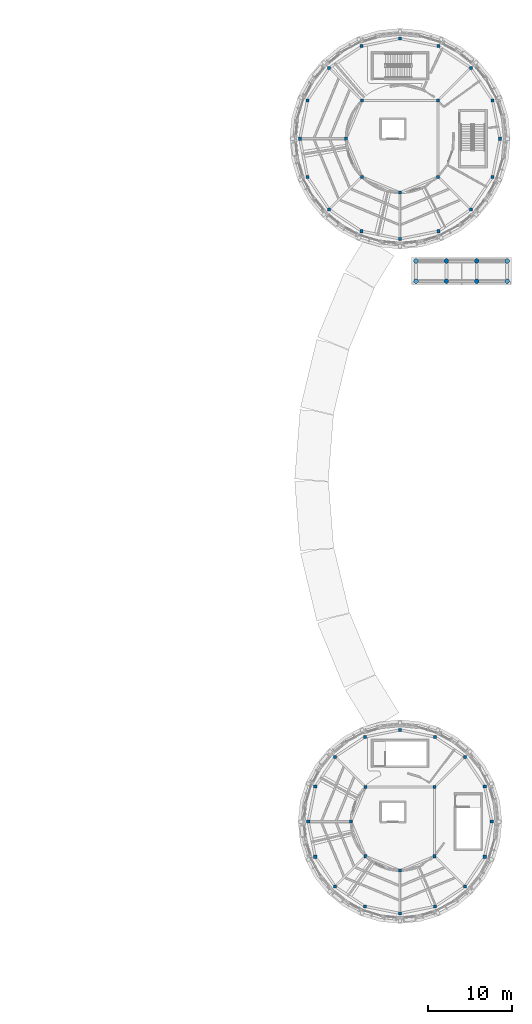
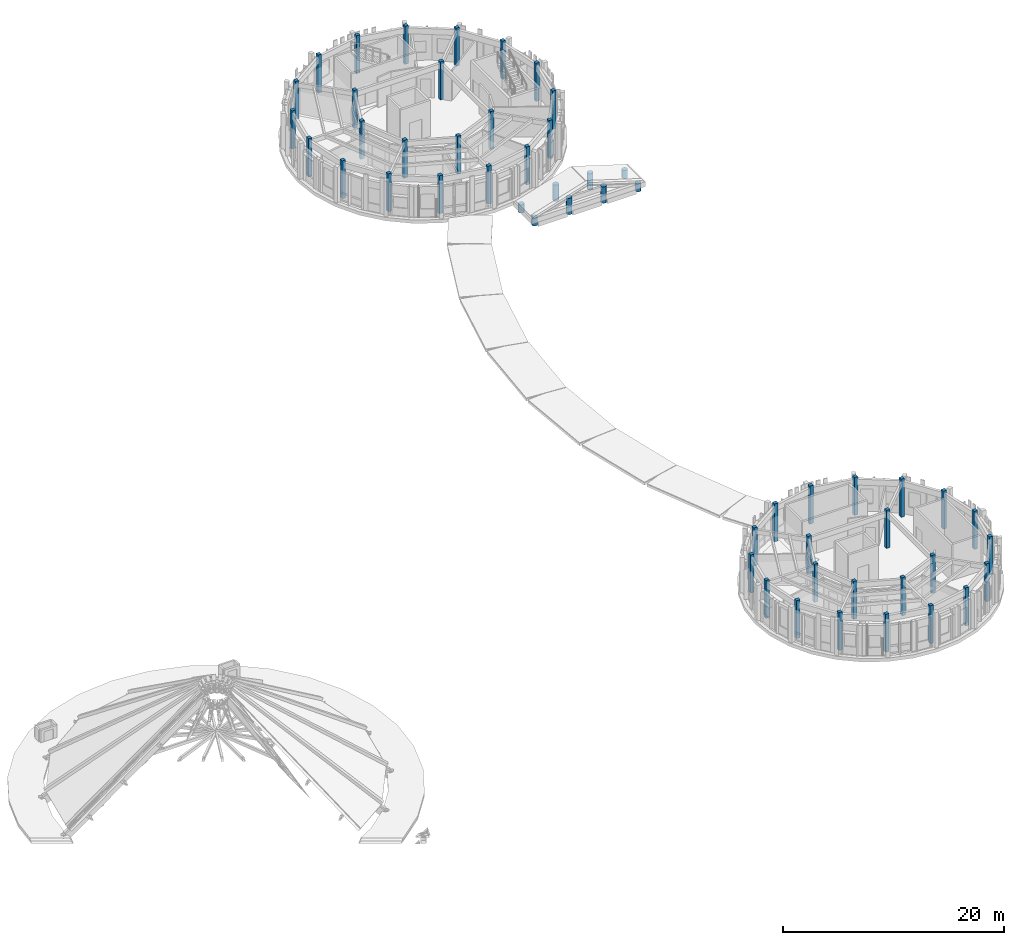
# One storey, part 3 of 58: 52 columns.
"""IFC4 building model written with IfcOpenShell, lengths in metres."""

from ifc_helpers import new_model, si_unit, direction, frame, origin, origin_2d, place, context, subcontext, project, spatial, rectangle, circle, extrude, material, material_profile, profile_set, type_object, element, save


model = new_model("IFC4")

# Units and contexts
model_context = context("Model", 3, precision=1e-05, world=origin(), true_north=direction((0.0, 1.0)))
body_context = subcontext(model_context, "Body", "Model", "MODEL_VIEW")
ifc_project = project(units=[si_unit("LENGTHUNIT", "METRE"), si_unit("AREAUNIT", "SQUARE_METRE"), si_unit("VOLUMEUNIT", "CUBIC_METRE"), si_unit("PLANEANGLEUNIT", "RADIAN"), si_unit("MASSUNIT", "GRAM", prefix="KILO")], contexts=[model_context])

# Site, building, storey
site_placement = place(None, origin())
site = spatial("IfcSite", under=ifc_project, at=site_placement, CompositionType="ELEMENT")
building_placement = place(site_placement, origin())
building = spatial("IfcBuilding", under=site, at=building_placement, Name="Aldenvaro Health Centre", CompositionType="ELEMENT")
storey_placement = place(building_placement, frame((0.0, 0.0, 8.75)))
storey = spatial("IfcBuildingStorey", under=building, at=storey_placement, Name="L02", CompositionType="ELEMENT", Elevation=8.75)

# Columns
ifc_material_1 = material(Name="Glulam GL28h", Category="wood")
ifc_material_profile_1 = material_profile(ifc_material_1, rectangle(XDim=0.364990234375, YDim=0.364990234375, at=origin_2d()), Name="GL 365x365", Category="wood")
ifc_profile_set_1 = profile_set([ifc_material_profile_1], Name="Glulam GL28h")
column_type_1 = type_object("IfcColumnType", Name="COL-GL-365", PredefinedType="COLUMN", material=ifc_profile_set_1)
for number, where, z_axis, x_axis, name in (
    (1, (159.02490234375, 104.02490234375, 0.0), (0.0, 0.0, 1.0), (1.0, 0.0, 0.0), "D2 L02 column IN-01"),
    (2, (149.97509765625, 104.02490234375, 0.0), (0.0, 0.0, 1.0), (1.0, 0.0, 0.0), "D2 L02 column IN-02"),
    (3, (148.10009765625, 99.5, 0.0), (0.0, 0.0, 1.0), (1.0, 0.0, 0.0), "D2 L02 column IN-03"),
    (4, (149.97509765625, 94.97509765625, 0.0), (0.0, 0.0, 1.0), (1.0, 0.0, 0.0), "D2 L02 column IN-04"),
    (5, (154.5, 93.10009765625, 0.0), (0.0, 0.0, 1.0), (1.0, 0.0, 0.0), "D2 L02 column IN-05"),
    (6, (159.02490234375, 94.97509765625, 0.0), (0.0, 0.0, 1.0), (1.0, 0.0, 0.0), "D2 L02 column IN-06"),
    (7, (158.60107421875, 22.60107421875, 0.0), (0.0, 0.0, 1.0), (1.0, 0.0, 0.0), "D6 L02 column IN-01"),
    (8, (150.39892578125, 22.60107421875, 0.0), (0.0, 0.0, 1.0), (1.0, 0.0, 0.0), "D6 L02 column IN-02"),
    (9, (148.699951171875, 18.5, 0.0), (0.0, 0.0, 1.0), (1.0, 0.0, 0.0), "D6 L02 column IN-03"),
    (10, (150.39892578125, 14.39892578125, 0.0), (0.0, 0.0, 1.0), (1.0, 0.0, 0.0), "D6 L02 column IN-04"),
    (11, (154.5, 12.699951171875, 0.0), (0.0, 0.0, 1.0), (1.0, 0.0, 0.0), "D6 L02 column IN-05"),
    (12, (158.60107421875, 14.39892578125, 0.0), (0.0, 0.0, 1.0), (1.0, 0.0, 0.0), "D6 L02 column IN-06"),
):
    element("IfcColumn", number, at=place(storey_placement, frame(where, z_axis=z_axis, x_axis=x_axis)), inside=storey, type_object=column_type_1, Name=name, PredefinedType="COLUMN", context=body_context, shape_type="SweptSolid", body=[
        extrude(rectangle(XDim=0.364990234375, YDim=0.364990234375, at=origin_2d()), origin(), (0.0, 0.0, 1.0), 4.199951171875),
    ])
ifc_material_profile_2 = material_profile(ifc_material_1, rectangle(XDim=0.364990234375, YDim=0.364990234375, at=origin_2d()), Name="GL 365x365", Category="wood")
ifc_profile_set_2 = profile_set([ifc_material_profile_2], Name="Glulam GL28h")
column_type_2 = type_object("IfcColumnType", Name="COL-GL-365E", PredefinedType="COLUMN", material=ifc_profile_set_2)
for number, where, z_axis, x_axis, name in (
    (13, (166.3798828125, 99.5, 0.0), (0.0, 0.0, 1.0), (1.0, 0.0, 0.0), "D2 L02 column OUT-01"),
    (14, (165.47607421875, 104.0458984375, 0.0), (0.0, 0.0, 1.0), (1.0, 0.0, 0.0), "D2 L02 column OUT-02"),
    (15, (162.89990234375, 107.89990234375, 0.0), (0.0, 0.0, 1.0), (1.0, 0.0, 0.0), "D2 L02 column OUT-03"),
    (16, (159.0458984375, 110.47607421875, 0.0), (0.0, 0.0, 1.0), (1.0, 0.0, 0.0), "D2 L02 column OUT-04"),
    (17, (154.5, 111.3798828125, 0.0), (0.0, 0.0, 1.0), (1.0, 0.0, 0.0), "D2 L02 column OUT-05"),
    (18, (149.9541015625, 110.47607421875, 0.0), (0.0, 0.0, 1.0), (1.0, 0.0, 0.0), "D2 L02 column OUT-06"),
    (19, (146.10009765625, 107.89990234375, 0.0), (0.0, 0.0, 1.0), (1.0, 0.0, 0.0), "D2 L02 column OUT-07"),
    (20, (143.52392578125, 104.0458984375, 0.0), (0.0, 0.0, 1.0), (1.0, 0.0, 0.0), "D2 L02 column OUT-08"),
    (21, (142.6201171875, 99.5, 0.0), (0.0, 0.0, 1.0), (1.0, 0.0, 0.0), "D2 L02 column OUT-09"),
    (22, (143.52392578125, 94.9541015625, 0.0), (0.0, 0.0, 1.0), (1.0, 0.0, 0.0), "D2 L02 column OUT-10"),
    (23, (146.10009765625, 91.10009765625, 0.0), (0.0, 0.0, 1.0), (1.0, 0.0, 0.0), "D2 L02 column OUT-11"),
    (24, (149.9541015625, 88.52392578125, 0.0), (0.0, 0.0, 1.0), (1.0, 0.0, 0.0), "D2 L02 column OUT-12"),
    (25, (154.5, 87.6201171875, 0.0), (0.0, 0.0, 1.0), (1.0, 0.0, 0.0), "D2 L02 column OUT-13"),
    (26, (159.0458984375, 88.52392578125, 0.0), (0.0, 0.0, 1.0), (1.0, 0.0, 0.0), "D2 L02 column OUT-14"),
    (27, (162.89990234375, 91.10009765625, 0.0), (0.0, 0.0, 1.0), (1.0, 0.0, 0.0), "D2 L02 column OUT-15"),
    (28, (165.47607421875, 94.9541015625, 0.0), (0.0, 0.0, 1.0), (1.0, 0.0, 0.0), "D2 L02 column OUT-16"),
    (29, (165.3798828125, 18.5, 0.0), (0.0, 0.0, 1.0), (1.0, 0.0, 0.0), "D6 L02 column OUT-01"),
    (30, (164.552001953125, 22.6640625, 0.0), (0.0, 0.0, 1.0), (1.0, 0.0, 0.0), "D6 L02 column OUT-02"),
    (31, (162.193115234375, 26.193115234375, 0.0), (0.0, 0.0, 1.0), (1.0, 0.0, 0.0), "D6 L02 column OUT-03"),
    (32, (158.6640625, 28.552001953125, 0.0), (0.0, 0.0, 1.0), (1.0, 0.0, 0.0), "D6 L02 column OUT-04"),
    (33, (154.5, 29.3798828125, 0.0), (0.0, 0.0, 1.0), (1.0, 0.0, 0.0), "D6 L02 column OUT-05"),
    (34, (150.3359375, 28.552001953125, 0.0), (0.0, 0.0, 1.0), (1.0, 0.0, 0.0), "D6 L02 column OUT-06"),
    (35, (146.806884765625, 26.193115234375, 0.0), (0.0, 0.0, 1.0), (1.0, 0.0, 0.0), "D6 L02 column OUT-07"),
    (36, (144.447998046875, 22.6640625, 0.0), (0.0, 0.0, 1.0), (1.0, 0.0, 0.0), "D6 L02 column OUT-08"),
    (37, (143.6201171875, 18.5, 0.0), (0.0, 0.0, 1.0), (1.0, 0.0, 0.0), "D6 L02 column OUT-09"),
    (38, (144.447998046875, 14.3359375, 0.0), (0.0, 0.0, 1.0), (1.0, 0.0, 0.0), "D6 L02 column OUT-10"),
    (39, (146.806884765625, 10.806884765625, 0.0), (0.0, 0.0, 1.0), (1.0, 0.0, 0.0), "D6 L02 column OUT-11"),
    (40, (150.3359375, 8.447998046875, 0.0), (0.0, 0.0, 1.0), (1.0, 0.0, 0.0), "D6 L02 column OUT-12"),
    (41, (154.5, 7.6201171875, 0.0), (0.0, 0.0, 1.0), (1.0, 0.0, 0.0), "D6 L02 column OUT-13"),
    (42, (158.6640625, 8.447998046875, 0.0), (0.0, 0.0, 1.0), (1.0, 0.0, 0.0), "D6 L02 column OUT-14"),
    (43, (162.193115234375, 10.806884765625, 0.0), (0.0, 0.0, 1.0), (1.0, 0.0, 0.0), "D6 L02 column OUT-15"),
    (44, (164.552001953125, 14.3359375, 0.0), (0.0, 0.0, 1.0), (1.0, 0.0, 0.0), "D6 L02 column OUT-16"),
):
    element("IfcColumn", number, at=place(storey_placement, frame(where, z_axis=z_axis, x_axis=x_axis)), inside=storey, type_object=column_type_2, Name=name, PredefinedType="COLUMN", context=body_context, shape_type="SweptSolid", body=[
        extrude(rectangle(XDim=0.364990234375, YDim=0.364990234375, at=origin_2d()), origin(), (0.0, 0.0, 1.0), 4.199951171875),
    ])
ifc_material_2 = material(Name="Concrete f'c 40 MPa", Category="concrete")
ifc_material_profile_3 = material_profile(ifc_material_2, circle(Radius=0.27490234375, at=origin_2d()), Name="RC D550", Category="concrete")
ifc_profile_set_3 = profile_set([ifc_material_profile_3], Name="Concrete f'c 40 MPa")
column_type_3 = type_object("IfcColumnType", Name="COL-RC-D550", PredefinedType="PILASTER", material=ifc_profile_set_3)
for number, where, z_axis, x_axis, name in (
    (45, (156.39990234375, 82.60009765625, 0.0), (0.0, 0.0, 1.0), (1.0, 0.0, 0.0), "Bastion Tetrastyle Portico N2 Gable Column 1.1"),
    (46, (156.39990234375, 85.0, 0.0), (0.0, 0.0, 1.0), (1.0, 0.0, 0.0), "Bastion Tetrastyle Portico N2 Gable Column 1.2"),
):
    element("IfcColumn", number, at=place(storey_placement, frame(where, z_axis=z_axis, x_axis=x_axis)), inside=storey, type_object=column_type_3, Name=name, PredefinedType="PILASTER", context=body_context, shape_type="SweptSolid", body=[
        extrude(circle(Radius=0.27490234375, at=origin_2d()), origin(), (0.0, 0.0, 1.0), 0.889892578125),
    ])
for number, where, z_axis, x_axis, name in (
    (47, (160.0, 82.60009765625, 0.0), (0.0, 0.0, 1.0), (1.0, 0.0, 0.0), "Bastion Tetrastyle Portico N2 Gable Column 2.1"),
    (48, (160.0, 85.0, 0.0), (0.0, 0.0, 1.0), (1.0, 0.0, 0.0), "Bastion Tetrastyle Portico N2 Gable Column 2.2"),
    (49, (163.60009765625, 82.60009765625, 0.0), (0.0, 0.0, 1.0), (1.0, 0.0, 0.0), "Bastion Tetrastyle Portico N2 Gable Column 3.1"),
    (50, (163.60009765625, 85.0, 0.0), (0.0, 0.0, 1.0), (1.0, 0.0, 0.0), "Bastion Tetrastyle Portico N2 Gable Column 3.2"),
):
    element("IfcColumn", number, at=place(storey_placement, frame(where, z_axis=z_axis, x_axis=x_axis)), inside=storey, type_object=column_type_3, Name=name, PredefinedType="PILASTER", context=body_context, shape_type="SweptSolid", body=[
        extrude(circle(Radius=0.27490234375, at=origin_2d()), origin(), (0.0, 0.0, 1.0), 1.81005859375),
    ])
for number, where, z_axis, x_axis, name in (
    (51, (167.199951171875, 82.60009765625, 0.0), (0.0, 0.0, 1.0), (1.0, 0.0, 0.0), "Bastion Tetrastyle Portico N2 Gable Column 4.1"),
    (52, (167.199951171875, 85.0, 0.0), (0.0, 0.0, 1.0), (1.0, 0.0, 0.0), "Bastion Tetrastyle Portico N2 Gable Column 4.2"),
):
    element("IfcColumn", number, at=place(storey_placement, frame(where, z_axis=z_axis, x_axis=x_axis)), inside=storey, type_object=column_type_3, Name=name, PredefinedType="PILASTER", context=body_context, shape_type="SweptSolid", body=[
        extrude(circle(Radius=0.27490234375, at=origin_2d()), origin(), (0.0, 0.0, 1.0), 0.889892578125),
    ])

save(model, "model.ifc")
